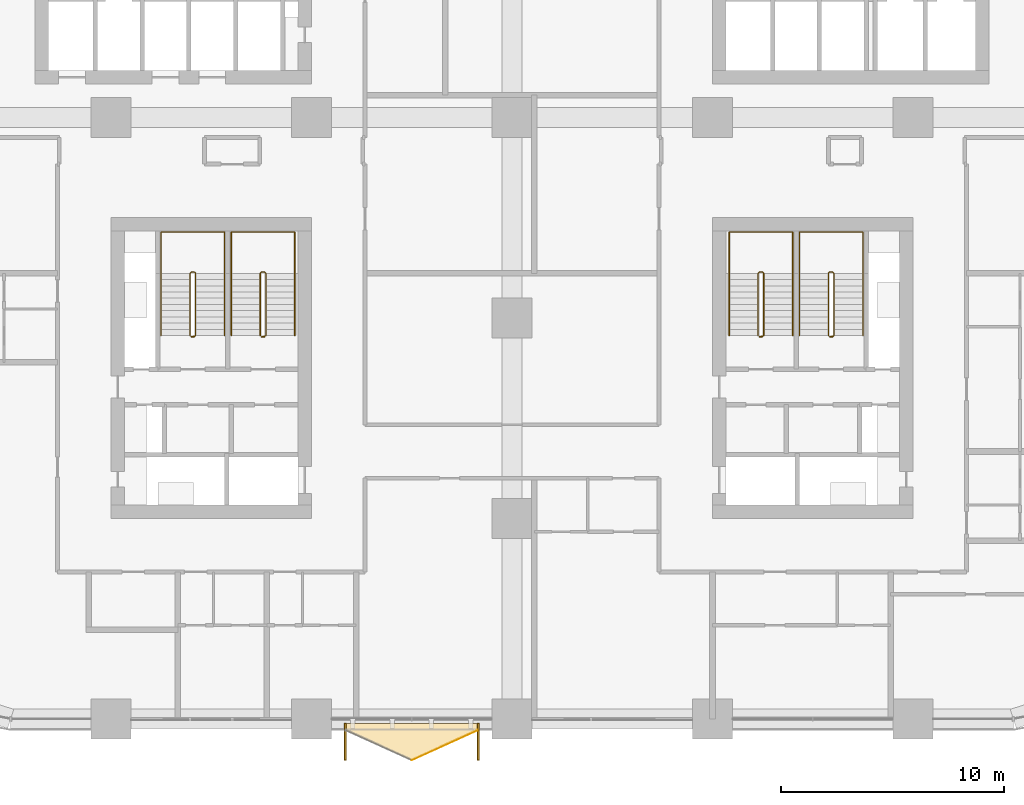
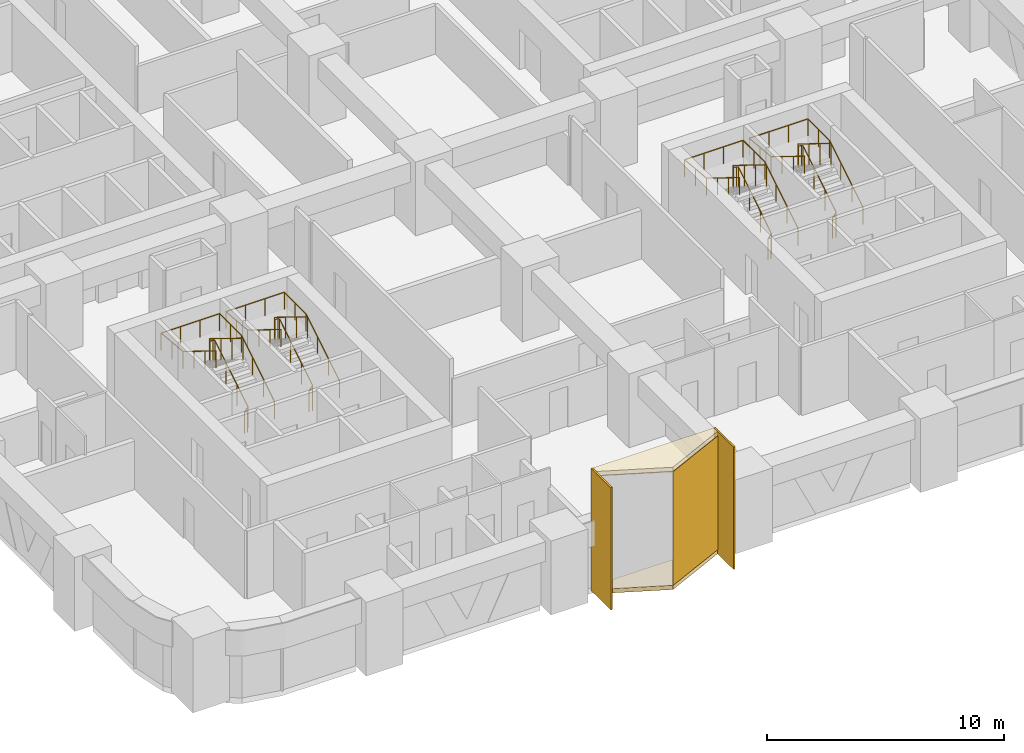
# One storey, part 22 of 24: 8 railings, 5 coverings.
"""IFC4 building model written with IfcOpenShell, lengths in metres."""

from ifc_helpers import new_model, si_unit, direction, frame, origin, origin_2d, place, context, subcontext, project, spatial, polyline, rectangle, circle, outline, extrude, material, layer, layer_set, type_object, element, save


model = new_model("IFC4")

# Units and contexts
model_context = context("Model", 3, precision=1e-05, world=origin(), true_north=direction((0.0, 1.0)))
body_context = subcontext(model_context, "Body", "Model", "MODEL_VIEW")
ifc_project = project(units=[si_unit("LENGTHUNIT", "METRE"), si_unit("AREAUNIT", "SQUARE_METRE"), si_unit("VOLUMEUNIT", "CUBIC_METRE"), si_unit("PLANEANGLEUNIT", "RADIAN"), si_unit("MASSUNIT", "GRAM", prefix="KILO")], contexts=[model_context])

# Site, building, storey
site_placement = place(None, origin())
site = spatial("IfcSite", under=ifc_project, at=site_placement, CompositionType="ELEMENT")
building_placement = place(site_placement, origin())
building = spatial("IfcBuilding", under=site, at=building_placement, Name="Tessera Arch", CompositionType="ELEMENT")
storey_placement = place(building_placement, frame((0.0, 0.0, 38.60009765625)))
storey = spatial("IfcBuildingStorey", under=building, at=storey_placement, Name="L07", CompositionType="ELEMENT", Elevation=38.60009765625)

# Railings
ifc_material_1 = material(Name="Painted steel balustrade", Category="steel")
railing_type_1 = type_object("IfcRailingType", Name="Stair guard 1100", PredefinedType="GUARDRAIL", material=ifc_material_1)
railing_1_placement = place(storey_placement, frame((38.25, 17.14990234375, 0.0)))
element("IfcRailing", 1, at=railing_1_placement, inside=storey, type_object=railing_type_1, Name="L07 S3a stair guard 1", PredefinedType="GUARDRAIL", context=body_context, shape_type="SweptSolid", body=[
    extrude(circle(Radius=0.02392578125, at=origin_2d()), frame((0.00390625, 0.0, 1.076171875), z_axis=(-1.0, 0.0, 0.0), x_axis=(0.0, -1.0, 0.0)), (0.0, 0.0, 1.0), 0.157958984375),
    extrude(circle(Radius=0.02392578125, at=origin_2d()), frame((-0.15283203125, -0.000732421875, 1.073486328125), z_axis=(0.743736083135, 0.18616104645, 0.642028584587), x_axis=(-0.242814311512, 0.970072785993, 0.0)), (0.0, 0.0, 1.0), 0.27685546875),
    extrude(circle(Radius=0.02392578125, at=origin_2d()), frame((0.050048828125, 0.046630859375, 1.24658203125), z_axis=(0.0, 0.851089632645, 0.525020415988), x_axis=(-1.0, 0.0, 0.0)), (0.0, 0.0, 1.0), 3.2978515625),
    extrude(circle(Radius=0.02392578125, at=origin_2d()), frame((0.052978515625, 2.84716796875, 2.97607421875), z_axis=(-0.707106781187, 0.707106781187, 0.0), x_axis=(-0.707106781187, -0.707106781187, 0.0)), (0.0, 0.0, 1.0), 0.078857421875),
    extrude(circle(Radius=0.02392578125, at=origin_2d()), frame((0.00390625, 2.900146484375, 2.97607421875), z_axis=(-1.0, 0.0, 0.0), x_axis=(0.0, -1.0, 0.0)), (0.0, 0.0, 1.0), 0.157958984375),
    extrude(circle(Radius=0.02392578125, at=origin_2d()), frame((-0.14892578125, 2.901123046875, 2.97216796875), z_axis=(-0.268277960024, -0.268277960024, 0.925231793839), x_axis=(0.707106781187, -0.707106781187, 0.0)), (0.0, 0.0, 1.0), 0.194580078125),
    extrude(circle(Radius=0.02392578125, at=origin_2d()), frame((-0.199951171875, 2.853515625, 3.146484375), z_axis=(0.0, -0.851089632645, 0.525020415988), x_axis=(1.0, 0.0, 0.0)), (0.0, 0.0, 1.0), 3.2978515625),
    extrude(circle(Radius=0.02099609375, at=origin_2d()), origin(), (0.0, 0.0, 1.0), 1.06396484375),
    extrude(circle(Radius=0.02099609375, at=origin_2d()), frame((-0.14990234375, 0.0, 0.0)), (0.0, 0.0, 1.0), 1.06396484375),
    extrude(circle(Radius=0.02099609375, at=origin_2d()), frame((0.050048828125, 0.050048828125, 0.172607421875)), (0.0, 0.0, 1.0), 1.06396484375),
    extrude(circle(Radius=0.02099609375, at=origin_2d()), frame((0.050048828125, 0.9833984375, 0.748291015625)), (0.0, 0.0, 1.0), 1.06396484375),
    extrude(circle(Radius=0.02099609375, at=origin_2d()), frame((0.050048828125, 1.916748046875, 1.32421875)), (0.0, 0.0, 1.0), 1.06396484375),
    extrude(circle(Radius=0.02099609375, at=origin_2d()), frame((0.050048828125, 2.85009765625, 1.89990234375)), (0.0, 0.0, 1.0), 1.06396484375),
    extrude(circle(Radius=0.02099609375, at=origin_2d()), frame((0.0, 2.900146484375, 1.89990234375)), (0.0, 0.0, 1.0), 1.06396484375),
    extrude(circle(Radius=0.02099609375, at=origin_2d()), frame((-0.14990234375, 2.900146484375, 1.89990234375)), (0.0, 0.0, 1.0), 1.06396484375),
    extrude(circle(Radius=0.02099609375, at=origin_2d()), frame((-0.199951171875, 2.85009765625, 2.072509765625)), (0.0, 0.0, 1.0), 1.06396484375),
    extrude(circle(Radius=0.02099609375, at=origin_2d()), frame((-0.199951171875, 1.916748046875, 2.648193359375)), (0.0, 0.0, 1.0), 1.06396484375),
    extrude(circle(Radius=0.02099609375, at=origin_2d()), frame((-0.199951171875, 0.9833984375, 3.22412109375)), (0.0, 0.0, 1.0), 1.06396484375),
    extrude(circle(Radius=0.02099609375, at=origin_2d()), frame((-0.199951171875, 0.050048828125, 3.7998046875)), (0.0, 0.0, 1.0), 1.06396484375),
])
railing_2_placement = place(storey_placement, frame((41.39990234375, 17.14990234375, 0.0)))
element("IfcRailing", 2, at=railing_2_placement, inside=storey, type_object=railing_type_1, Name="L07 S3b stair guard 1", PredefinedType="GUARDRAIL", context=body_context, shape_type="SweptSolid", body=[
    extrude(circle(Radius=0.02392578125, at=origin_2d()), frame((0.00390625, 0.0, 1.076171875), z_axis=(-1.0, 0.0, 0.0), x_axis=(0.0, -1.0, 0.0)), (0.0, 0.0, 1.0), 0.157958984375),
    extrude(circle(Radius=0.02392578125, at=origin_2d()), frame((-0.15283203125, -0.000732421875, 1.073486328125), z_axis=(0.743736083135, 0.18616104645, 0.642028584587), x_axis=(-0.242814311512, 0.970072785993, 0.0)), (0.0, 0.0, 1.0), 0.27685546875),
    extrude(circle(Radius=0.02392578125, at=origin_2d()), frame((0.050048828125, 0.046630859375, 1.24658203125), z_axis=(0.0, 0.851089632645, 0.525020415988), x_axis=(-1.0, 0.0, 0.0)), (0.0, 0.0, 1.0), 3.2978515625),
    extrude(circle(Radius=0.02392578125, at=origin_2d()), frame((0.052978515625, 2.84716796875, 2.97607421875), z_axis=(-0.707106781187, 0.707106781187, 0.0), x_axis=(-0.707106781187, -0.707106781187, 0.0)), (0.0, 0.0, 1.0), 0.078857421875),
    extrude(circle(Radius=0.02392578125, at=origin_2d()), frame((0.00390625, 2.900146484375, 2.97607421875), z_axis=(-1.0, 0.0, 0.0), x_axis=(0.0, -1.0, 0.0)), (0.0, 0.0, 1.0), 0.157958984375),
    extrude(circle(Radius=0.02392578125, at=origin_2d()), frame((-0.14892578125, 2.901123046875, 2.97216796875), z_axis=(-0.268277960024, -0.268277960024, 0.925231793839), x_axis=(0.707106781187, -0.707106781187, 0.0)), (0.0, 0.0, 1.0), 0.194580078125),
    extrude(circle(Radius=0.02392578125, at=origin_2d()), frame((-0.199951171875, 2.853515625, 3.146484375), z_axis=(0.0, -0.851089632645, 0.525020415988), x_axis=(1.0, 0.0, 0.0)), (0.0, 0.0, 1.0), 3.2978515625),
    extrude(circle(Radius=0.02099609375, at=origin_2d()), origin(), (0.0, 0.0, 1.0), 1.06396484375),
    extrude(circle(Radius=0.02099609375, at=origin_2d()), frame((-0.14990234375, 0.0, 0.0)), (0.0, 0.0, 1.0), 1.06396484375),
    extrude(circle(Radius=0.02099609375, at=origin_2d()), frame((0.050048828125, 0.050048828125, 0.172607421875)), (0.0, 0.0, 1.0), 1.06396484375),
    extrude(circle(Radius=0.02099609375, at=origin_2d()), frame((0.050048828125, 0.9833984375, 0.748291015625)), (0.0, 0.0, 1.0), 1.06396484375),
    extrude(circle(Radius=0.02099609375, at=origin_2d()), frame((0.050048828125, 1.916748046875, 1.32421875)), (0.0, 0.0, 1.0), 1.06396484375),
    extrude(circle(Radius=0.02099609375, at=origin_2d()), frame((0.050048828125, 2.85009765625, 1.89990234375)), (0.0, 0.0, 1.0), 1.06396484375),
    extrude(circle(Radius=0.02099609375, at=origin_2d()), frame((0.0, 2.900146484375, 1.89990234375)), (0.0, 0.0, 1.0), 1.06396484375),
    extrude(circle(Radius=0.02099609375, at=origin_2d()), frame((-0.14990234375, 2.900146484375, 1.89990234375)), (0.0, 0.0, 1.0), 1.06396484375),
    extrude(circle(Radius=0.02099609375, at=origin_2d()), frame((-0.199951171875, 2.85009765625, 2.072509765625)), (0.0, 0.0, 1.0), 1.06396484375),
    extrude(circle(Radius=0.02099609375, at=origin_2d()), frame((-0.199951171875, 1.916748046875, 2.648193359375)), (0.0, 0.0, 1.0), 1.06396484375),
    extrude(circle(Radius=0.02099609375, at=origin_2d()), frame((-0.199951171875, 0.9833984375, 3.22412109375)), (0.0, 0.0, 1.0), 1.06396484375),
    extrude(circle(Radius=0.02099609375, at=origin_2d()), frame((-0.199951171875, 0.050048828125, 3.7998046875)), (0.0, 0.0, 1.0), 1.06396484375),
])
railing_3_placement = place(storey_placement, frame((15.89990234375, 17.14990234375, 0.0)))
element("IfcRailing", 3, at=railing_3_placement, inside=storey, type_object=railing_type_1, Name="L07 S4a stair guard 1", PredefinedType="GUARDRAIL", context=body_context, shape_type="SweptSolid", body=[
    extrude(circle(Radius=0.02392578125, at=origin_2d()), frame((0.00390625, 0.0, 1.076171875), z_axis=(-1.0, 0.0, 0.0), x_axis=(0.0, -1.0, 0.0)), (0.0, 0.0, 1.0), 0.157958984375),
    extrude(circle(Radius=0.02392578125, at=origin_2d()), frame((-0.15283203125, -0.000732421875, 1.073486328125), z_axis=(0.743736083135, 0.18616104645, 0.642028584587), x_axis=(-0.242814311512, 0.970072785993, 0.0)), (0.0, 0.0, 1.0), 0.27685546875),
    extrude(circle(Radius=0.02392578125, at=origin_2d()), frame((0.050048828125, 0.046630859375, 1.24658203125), z_axis=(0.0, 0.851089632645, 0.525020415988), x_axis=(-1.0, 0.0, 0.0)), (0.0, 0.0, 1.0), 3.2978515625),
    extrude(circle(Radius=0.02392578125, at=origin_2d()), frame((0.052978515625, 2.84716796875, 2.97607421875), z_axis=(-0.707106781187, 0.707106781187, 0.0), x_axis=(-0.707106781187, -0.707106781187, 0.0)), (0.0, 0.0, 1.0), 0.078857421875),
    extrude(circle(Radius=0.02392578125, at=origin_2d()), frame((0.00390625, 2.900146484375, 2.97607421875), z_axis=(-1.0, 0.0, 0.0), x_axis=(0.0, -1.0, 0.0)), (0.0, 0.0, 1.0), 0.157958984375),
    extrude(circle(Radius=0.02392578125, at=origin_2d()), frame((-0.14892578125, 2.901123046875, 2.97216796875), z_axis=(-0.268277960024, -0.268277960024, 0.925231793839), x_axis=(0.707106781187, -0.707106781187, 0.0)), (0.0, 0.0, 1.0), 0.194580078125),
    extrude(circle(Radius=0.02392578125, at=origin_2d()), frame((-0.199951171875, 2.853515625, 3.146484375), z_axis=(0.0, -0.851089632645, 0.525020415988), x_axis=(1.0, 0.0, 0.0)), (0.0, 0.0, 1.0), 3.2978515625),
    extrude(circle(Radius=0.02099609375, at=origin_2d()), origin(), (0.0, 0.0, 1.0), 1.06396484375),
    extrude(circle(Radius=0.02099609375, at=origin_2d()), frame((-0.14990234375, 0.0, 0.0)), (0.0, 0.0, 1.0), 1.06396484375),
    extrude(circle(Radius=0.02099609375, at=origin_2d()), frame((0.050048828125, 0.050048828125, 0.172607421875)), (0.0, 0.0, 1.0), 1.06396484375),
    extrude(circle(Radius=0.02099609375, at=origin_2d()), frame((0.050048828125, 0.9833984375, 0.748291015625)), (0.0, 0.0, 1.0), 1.06396484375),
    extrude(circle(Radius=0.02099609375, at=origin_2d()), frame((0.050048828125, 1.916748046875, 1.32421875)), (0.0, 0.0, 1.0), 1.06396484375),
    extrude(circle(Radius=0.02099609375, at=origin_2d()), frame((0.050048828125, 2.85009765625, 1.89990234375)), (0.0, 0.0, 1.0), 1.06396484375),
    extrude(circle(Radius=0.02099609375, at=origin_2d()), frame((0.0, 2.900146484375, 1.89990234375)), (0.0, 0.0, 1.0), 1.06396484375),
    extrude(circle(Radius=0.02099609375, at=origin_2d()), frame((-0.14990234375, 2.900146484375, 1.89990234375)), (0.0, 0.0, 1.0), 1.06396484375),
    extrude(circle(Radius=0.02099609375, at=origin_2d()), frame((-0.199951171875, 2.85009765625, 2.072509765625)), (0.0, 0.0, 1.0), 1.06396484375),
    extrude(circle(Radius=0.02099609375, at=origin_2d()), frame((-0.199951171875, 1.916748046875, 2.648193359375)), (0.0, 0.0, 1.0), 1.06396484375),
    extrude(circle(Radius=0.02099609375, at=origin_2d()), frame((-0.199951171875, 0.9833984375, 3.22412109375)), (0.0, 0.0, 1.0), 1.06396484375),
    extrude(circle(Radius=0.02099609375, at=origin_2d()), frame((-0.199951171875, 0.050048828125, 3.7998046875)), (0.0, 0.0, 1.0), 1.06396484375),
])
railing_4_placement = place(storey_placement, frame((12.75, 17.14990234375, 0.0)))
element("IfcRailing", 4, at=railing_4_placement, inside=storey, type_object=railing_type_1, Name="L07 S4b stair guard 1", PredefinedType="GUARDRAIL", context=body_context, shape_type="SweptSolid", body=[
    extrude(circle(Radius=0.02392578125, at=origin_2d()), frame((0.00390625, 0.0, 1.076171875), z_axis=(-1.0, 0.0, 0.0), x_axis=(0.0, -1.0, 0.0)), (0.0, 0.0, 1.0), 0.157958984375),
    extrude(circle(Radius=0.02392578125, at=origin_2d()), frame((-0.15283203125, -0.000732421875, 1.073486328125), z_axis=(0.743736083135, 0.18616104645, 0.642028584587), x_axis=(-0.242814311512, 0.970072785993, 0.0)), (0.0, 0.0, 1.0), 0.27685546875),
    extrude(circle(Radius=0.02392578125, at=origin_2d()), frame((0.050048828125, 0.046630859375, 1.24658203125), z_axis=(0.0, 0.851089632645, 0.525020415988), x_axis=(-1.0, 0.0, 0.0)), (0.0, 0.0, 1.0), 3.2978515625),
    extrude(circle(Radius=0.02392578125, at=origin_2d()), frame((0.052978515625, 2.84716796875, 2.97607421875), z_axis=(-0.707106781187, 0.707106781187, 0.0), x_axis=(-0.707106781187, -0.707106781187, 0.0)), (0.0, 0.0, 1.0), 0.078857421875),
    extrude(circle(Radius=0.02392578125, at=origin_2d()), frame((0.00390625, 2.900146484375, 2.97607421875), z_axis=(-1.0, 0.0, 0.0), x_axis=(0.0, -1.0, 0.0)), (0.0, 0.0, 1.0), 0.157958984375),
    extrude(circle(Radius=0.02392578125, at=origin_2d()), frame((-0.14892578125, 2.901123046875, 2.97216796875), z_axis=(-0.268277960024, -0.268277960024, 0.925231793839), x_axis=(0.707106781187, -0.707106781187, 0.0)), (0.0, 0.0, 1.0), 0.194580078125),
    extrude(circle(Radius=0.02392578125, at=origin_2d()), frame((-0.199951171875, 2.853515625, 3.146484375), z_axis=(0.0, -0.851089632645, 0.525020415988), x_axis=(1.0, 0.0, 0.0)), (0.0, 0.0, 1.0), 3.2978515625),
    extrude(circle(Radius=0.02099609375, at=origin_2d()), origin(), (0.0, 0.0, 1.0), 1.06396484375),
    extrude(circle(Radius=0.02099609375, at=origin_2d()), frame((-0.14990234375, 0.0, 0.0)), (0.0, 0.0, 1.0), 1.06396484375),
    extrude(circle(Radius=0.02099609375, at=origin_2d()), frame((0.050048828125, 0.050048828125, 0.172607421875)), (0.0, 0.0, 1.0), 1.06396484375),
    extrude(circle(Radius=0.02099609375, at=origin_2d()), frame((0.050048828125, 0.9833984375, 0.748291015625)), (0.0, 0.0, 1.0), 1.06396484375),
    extrude(circle(Radius=0.02099609375, at=origin_2d()), frame((0.050048828125, 1.916748046875, 1.32421875)), (0.0, 0.0, 1.0), 1.06396484375),
    extrude(circle(Radius=0.02099609375, at=origin_2d()), frame((0.050048828125, 2.85009765625, 1.89990234375)), (0.0, 0.0, 1.0), 1.06396484375),
    extrude(circle(Radius=0.02099609375, at=origin_2d()), frame((0.0, 2.900146484375, 1.89990234375)), (0.0, 0.0, 1.0), 1.06396484375),
    extrude(circle(Radius=0.02099609375, at=origin_2d()), frame((-0.14990234375, 2.900146484375, 1.89990234375)), (0.0, 0.0, 1.0), 1.06396484375),
    extrude(circle(Radius=0.02099609375, at=origin_2d()), frame((-0.199951171875, 2.85009765625, 2.072509765625)), (0.0, 0.0, 1.0), 1.06396484375),
    extrude(circle(Radius=0.02099609375, at=origin_2d()), frame((-0.199951171875, 1.916748046875, 2.648193359375)), (0.0, 0.0, 1.0), 1.06396484375),
    extrude(circle(Radius=0.02099609375, at=origin_2d()), frame((-0.199951171875, 0.9833984375, 3.22412109375)), (0.0, 0.0, 1.0), 1.06396484375),
    extrude(circle(Radius=0.02099609375, at=origin_2d()), frame((-0.199951171875, 0.050048828125, 3.7998046875)), (0.0, 0.0, 1.0), 1.06396484375),
])
ifc_material_2 = material(Name="Painted steel handrail", Category="steel")
railing_type_2 = type_object("IfcRailingType", Name="Stair handrail 900", PredefinedType="HANDRAIL", material=ifc_material_2)
railing_5_placement = place(storey_placement, frame((39.60009765625, 17.199951171875, 0.172607421875)))
element("IfcRailing", 5, at=railing_5_placement, inside=storey, type_object=railing_type_2, Name="L07 S3a stair handrail", PredefinedType="HANDRAIL", context=body_context, shape_type="SweptSolid", body=[
    extrude(circle(Radius=0.02392578125, at=origin_2d()), frame((0.0, -0.00341796875, 0.873779296875), z_axis=(0.0, 0.851089632645, 0.525020415988), x_axis=(-1.0, 0.0, 0.0)), (0.0, 0.0, 1.0), 3.2978515625),
    extrude(circle(Radius=0.02392578125, at=origin_2d()), frame((0.0, 2.796142578125, 2.60302734375), z_axis=(0.0, 1.0, 0.0), x_axis=(-1.0, 0.0, 0.0)), (0.0, 0.0, 1.0), 1.858154296875),
    extrude(circle(Radius=0.02392578125, at=origin_2d()), frame((0.00390625, 4.650146484375, 2.60302734375), z_axis=(-1.0, 0.0, 0.0), x_axis=(0.0, -1.0, 0.0)), (0.0, 0.0, 1.0), 2.858154296875),
    extrude(circle(Radius=0.02392578125, at=origin_2d()), frame((-2.85009765625, 4.654052734375, 2.602783203125), z_axis=(0.0, -0.995676099079, 0.092892979948), x_axis=(1.0, 0.0, 0.0)), (0.0, 0.0, 1.0), 1.8662109375),
    extrude(circle(Radius=0.02392578125, at=origin_2d()), frame((-2.85009765625, 2.803466796875, 2.773681640625), z_axis=(0.0, -0.851089632645, 0.525020415988), x_axis=(1.0, 0.0, 0.0)), (0.0, 0.0, 1.0), 3.2978515625),
    extrude(circle(Radius=0.02099609375, at=origin_2d()), origin(), (0.0, 0.0, 1.0), 0.86376953125),
    extrude(circle(Radius=0.02099609375, at=origin_2d()), frame((0.0, 0.933349609375, 0.57568359375)), (0.0, 0.0, 1.0), 0.86376953125),
    extrude(circle(Radius=0.02099609375, at=origin_2d()), frame((0.0, 1.86669921875, 1.151611328125)), (0.0, 0.0, 1.0), 0.86376953125),
    extrude(circle(Radius=0.02099609375, at=origin_2d()), frame((0.0, 2.800048828125, 1.727294921875)), (0.0, 0.0, 1.0), 0.86376953125),
    extrude(circle(Radius=0.02099609375, at=origin_2d()), frame((0.0, 3.72509765625, 1.727294921875)), (0.0, 0.0, 1.0), 0.86376953125),
    extrude(circle(Radius=0.02099609375, at=origin_2d()), frame((0.0, 4.650146484375, 1.727294921875)), (0.0, 0.0, 1.0), 0.86376953125),
    extrude(circle(Radius=0.02099609375, at=origin_2d()), frame((-0.949951171875, 4.650146484375, 1.727294921875)), (0.0, 0.0, 1.0), 0.86376953125),
    extrude(circle(Radius=0.02099609375, at=origin_2d()), frame((-1.900146484375, 4.650146484375, 1.727294921875)), (0.0, 0.0, 1.0), 0.86376953125),
    extrude(circle(Radius=0.02099609375, at=origin_2d()), frame((-2.85009765625, 4.650146484375, 1.727294921875)), (0.0, 0.0, 1.0), 0.86376953125),
    extrude(circle(Radius=0.02099609375, at=origin_2d()), frame((-2.85009765625, 3.72509765625, 1.8134765625)), (0.0, 0.0, 1.0), 0.86376953125),
    extrude(circle(Radius=0.02099609375, at=origin_2d()), frame((-2.85009765625, 2.800048828125, 1.89990234375)), (0.0, 0.0, 1.0), 0.86376953125),
    extrude(circle(Radius=0.02099609375, at=origin_2d()), frame((-2.85009765625, 1.86669921875, 2.4755859375)), (0.0, 0.0, 1.0), 0.86376953125),
    extrude(circle(Radius=0.02099609375, at=origin_2d()), frame((-2.85009765625, 0.933349609375, 3.051513671875)), (0.0, 0.0, 1.0), 0.86376953125),
    extrude(circle(Radius=0.02099609375, at=origin_2d()), frame((-2.85009765625, 0.0, 3.627197265625)), (0.0, 0.0, 1.0), 0.86376953125),
])
railing_6_placement = place(storey_placement, frame((42.75, 17.199951171875, 0.172607421875)))
element("IfcRailing", 6, at=railing_6_placement, inside=storey, type_object=railing_type_2, Name="L07 S3b stair handrail", PredefinedType="HANDRAIL", context=body_context, shape_type="SweptSolid", body=[
    extrude(circle(Radius=0.02392578125, at=origin_2d()), frame((0.0, -0.00341796875, 0.873779296875), z_axis=(0.0, 0.851089632645, 0.525020415988), x_axis=(-1.0, 0.0, 0.0)), (0.0, 0.0, 1.0), 3.2978515625),
    extrude(circle(Radius=0.02392578125, at=origin_2d()), frame((0.0, 2.796142578125, 2.60302734375), z_axis=(0.0, 1.0, 0.0), x_axis=(-1.0, 0.0, 0.0)), (0.0, 0.0, 1.0), 1.858154296875),
    extrude(circle(Radius=0.02392578125, at=origin_2d()), frame((0.00390625, 4.650146484375, 2.60302734375), z_axis=(-1.0, 0.0, 0.0), x_axis=(0.0, -1.0, 0.0)), (0.0, 0.0, 1.0), 2.858154296875),
    extrude(circle(Radius=0.02392578125, at=origin_2d()), frame((-2.85009765625, 4.654052734375, 2.602783203125), z_axis=(0.0, -0.995676099079, 0.092892979948), x_axis=(1.0, 0.0, 0.0)), (0.0, 0.0, 1.0), 1.8662109375),
    extrude(circle(Radius=0.02392578125, at=origin_2d()), frame((-2.85009765625, 2.803466796875, 2.773681640625), z_axis=(0.0, -0.851089632645, 0.525020415988), x_axis=(1.0, 0.0, 0.0)), (0.0, 0.0, 1.0), 3.2978515625),
    extrude(circle(Radius=0.02099609375, at=origin_2d()), origin(), (0.0, 0.0, 1.0), 0.86376953125),
    extrude(circle(Radius=0.02099609375, at=origin_2d()), frame((0.0, 0.933349609375, 0.57568359375)), (0.0, 0.0, 1.0), 0.86376953125),
    extrude(circle(Radius=0.02099609375, at=origin_2d()), frame((0.0, 1.86669921875, 1.151611328125)), (0.0, 0.0, 1.0), 0.86376953125),
    extrude(circle(Radius=0.02099609375, at=origin_2d()), frame((0.0, 2.800048828125, 1.727294921875)), (0.0, 0.0, 1.0), 0.86376953125),
    extrude(circle(Radius=0.02099609375, at=origin_2d()), frame((0.0, 3.72509765625, 1.727294921875)), (0.0, 0.0, 1.0), 0.86376953125),
    extrude(circle(Radius=0.02099609375, at=origin_2d()), frame((0.0, 4.650146484375, 1.727294921875)), (0.0, 0.0, 1.0), 0.86376953125),
    extrude(circle(Radius=0.02099609375, at=origin_2d()), frame((-0.949951171875, 4.650146484375, 1.727294921875)), (0.0, 0.0, 1.0), 0.86376953125),
    extrude(circle(Radius=0.02099609375, at=origin_2d()), frame((-1.900146484375, 4.650146484375, 1.727294921875)), (0.0, 0.0, 1.0), 0.86376953125),
    extrude(circle(Radius=0.02099609375, at=origin_2d()), frame((-2.85009765625, 4.650146484375, 1.727294921875)), (0.0, 0.0, 1.0), 0.86376953125),
    extrude(circle(Radius=0.02099609375, at=origin_2d()), frame((-2.85009765625, 3.72509765625, 1.8134765625)), (0.0, 0.0, 1.0), 0.86376953125),
    extrude(circle(Radius=0.02099609375, at=origin_2d()), frame((-2.85009765625, 2.800048828125, 1.89990234375)), (0.0, 0.0, 1.0), 0.86376953125),
    extrude(circle(Radius=0.02099609375, at=origin_2d()), frame((-2.85009765625, 1.86669921875, 2.4755859375)), (0.0, 0.0, 1.0), 0.86376953125),
    extrude(circle(Radius=0.02099609375, at=origin_2d()), frame((-2.85009765625, 0.933349609375, 3.051513671875)), (0.0, 0.0, 1.0), 0.86376953125),
    extrude(circle(Radius=0.02099609375, at=origin_2d()), frame((-2.85009765625, 0.0, 3.627197265625)), (0.0, 0.0, 1.0), 0.86376953125),
])
railing_7_placement = place(storey_placement, frame((17.25, 17.199951171875, 0.172607421875)))
element("IfcRailing", 7, at=railing_7_placement, inside=storey, type_object=railing_type_2, Name="L07 S4a stair handrail", PredefinedType="HANDRAIL", context=body_context, shape_type="SweptSolid", body=[
    extrude(circle(Radius=0.02392578125, at=origin_2d()), frame((0.0, -0.00341796875, 0.873779296875), z_axis=(0.0, 0.851089632645, 0.525020415988), x_axis=(-1.0, 0.0, 0.0)), (0.0, 0.0, 1.0), 3.2978515625),
    extrude(circle(Radius=0.02392578125, at=origin_2d()), frame((0.0, 2.796142578125, 2.60302734375), z_axis=(0.0, 1.0, 0.0), x_axis=(-1.0, 0.0, 0.0)), (0.0, 0.0, 1.0), 1.858154296875),
    extrude(circle(Radius=0.02392578125, at=origin_2d()), frame((0.00390625, 4.650146484375, 2.60302734375), z_axis=(-1.0, 0.0, 0.0), x_axis=(0.0, -1.0, 0.0)), (0.0, 0.0, 1.0), 2.858154296875),
    extrude(circle(Radius=0.02392578125, at=origin_2d()), frame((-2.85009765625, 4.654052734375, 2.602783203125), z_axis=(0.0, -0.995676099079, 0.092892979948), x_axis=(1.0, 0.0, 0.0)), (0.0, 0.0, 1.0), 1.8662109375),
    extrude(circle(Radius=0.02392578125, at=origin_2d()), frame((-2.85009765625, 2.803466796875, 2.773681640625), z_axis=(0.0, -0.851089632645, 0.525020415988), x_axis=(1.0, 0.0, 0.0)), (0.0, 0.0, 1.0), 3.2978515625),
    extrude(circle(Radius=0.02099609375, at=origin_2d()), origin(), (0.0, 0.0, 1.0), 0.86376953125),
    extrude(circle(Radius=0.02099609375, at=origin_2d()), frame((0.0, 0.933349609375, 0.57568359375)), (0.0, 0.0, 1.0), 0.86376953125),
    extrude(circle(Radius=0.02099609375, at=origin_2d()), frame((0.0, 1.86669921875, 1.151611328125)), (0.0, 0.0, 1.0), 0.86376953125),
    extrude(circle(Radius=0.02099609375, at=origin_2d()), frame((0.0, 2.800048828125, 1.727294921875)), (0.0, 0.0, 1.0), 0.86376953125),
    extrude(circle(Radius=0.02099609375, at=origin_2d()), frame((0.0, 3.72509765625, 1.727294921875)), (0.0, 0.0, 1.0), 0.86376953125),
    extrude(circle(Radius=0.02099609375, at=origin_2d()), frame((0.0, 4.650146484375, 1.727294921875)), (0.0, 0.0, 1.0), 0.86376953125),
    extrude(circle(Radius=0.02099609375, at=origin_2d()), frame((-0.949951171875, 4.650146484375, 1.727294921875)), (0.0, 0.0, 1.0), 0.86376953125),
    extrude(circle(Radius=0.02099609375, at=origin_2d()), frame((-1.900146484375, 4.650146484375, 1.727294921875)), (0.0, 0.0, 1.0), 0.86376953125),
    extrude(circle(Radius=0.02099609375, at=origin_2d()), frame((-2.85009765625, 4.650146484375, 1.727294921875)), (0.0, 0.0, 1.0), 0.86376953125),
    extrude(circle(Radius=0.02099609375, at=origin_2d()), frame((-2.85009765625, 3.72509765625, 1.8134765625)), (0.0, 0.0, 1.0), 0.86376953125),
    extrude(circle(Radius=0.02099609375, at=origin_2d()), frame((-2.85009765625, 2.800048828125, 1.89990234375)), (0.0, 0.0, 1.0), 0.86376953125),
    extrude(circle(Radius=0.02099609375, at=origin_2d()), frame((-2.85009765625, 1.86669921875, 2.4755859375)), (0.0, 0.0, 1.0), 0.86376953125),
    extrude(circle(Radius=0.02099609375, at=origin_2d()), frame((-2.85009765625, 0.933349609375, 3.051513671875)), (0.0, 0.0, 1.0), 0.86376953125),
    extrude(circle(Radius=0.02099609375, at=origin_2d()), frame((-2.85009765625, 0.0, 3.627197265625)), (0.0, 0.0, 1.0), 0.86376953125),
])
railing_8_placement = place(storey_placement, frame((14.10009765625, 17.199951171875, 0.172607421875)))
element("IfcRailing", 8, at=railing_8_placement, inside=storey, type_object=railing_type_2, Name="L07 S4b stair handrail", PredefinedType="HANDRAIL", context=body_context, shape_type="SweptSolid", body=[
    extrude(circle(Radius=0.02392578125, at=origin_2d()), frame((0.0, -0.00341796875, 0.873779296875), z_axis=(0.0, 0.851089632645, 0.525020415988), x_axis=(-1.0, 0.0, 0.0)), (0.0, 0.0, 1.0), 3.2978515625),
    extrude(circle(Radius=0.02392578125, at=origin_2d()), frame((0.0, 2.796142578125, 2.60302734375), z_axis=(0.0, 1.0, 0.0), x_axis=(-1.0, 0.0, 0.0)), (0.0, 0.0, 1.0), 1.858154296875),
    extrude(circle(Radius=0.02392578125, at=origin_2d()), frame((0.00390625, 4.650146484375, 2.60302734375), z_axis=(-1.0, 0.0, 0.0), x_axis=(0.0, -1.0, 0.0)), (0.0, 0.0, 1.0), 2.858154296875),
    extrude(circle(Radius=0.02392578125, at=origin_2d()), frame((-2.85009765625, 4.654052734375, 2.602783203125), z_axis=(0.0, -0.995676099079, 0.092892979948), x_axis=(1.0, 0.0, 0.0)), (0.0, 0.0, 1.0), 1.8662109375),
    extrude(circle(Radius=0.02392578125, at=origin_2d()), frame((-2.85009765625, 2.803466796875, 2.773681640625), z_axis=(0.0, -0.851089632645, 0.525020415988), x_axis=(1.0, 0.0, 0.0)), (0.0, 0.0, 1.0), 3.2978515625),
    extrude(circle(Radius=0.02099609375, at=origin_2d()), origin(), (0.0, 0.0, 1.0), 0.86376953125),
    extrude(circle(Radius=0.02099609375, at=origin_2d()), frame((0.0, 0.933349609375, 0.57568359375)), (0.0, 0.0, 1.0), 0.86376953125),
    extrude(circle(Radius=0.02099609375, at=origin_2d()), frame((0.0, 1.86669921875, 1.151611328125)), (0.0, 0.0, 1.0), 0.86376953125),
    extrude(circle(Radius=0.02099609375, at=origin_2d()), frame((0.0, 2.800048828125, 1.727294921875)), (0.0, 0.0, 1.0), 0.86376953125),
    extrude(circle(Radius=0.02099609375, at=origin_2d()), frame((0.0, 3.72509765625, 1.727294921875)), (0.0, 0.0, 1.0), 0.86376953125),
    extrude(circle(Radius=0.02099609375, at=origin_2d()), frame((0.0, 4.650146484375, 1.727294921875)), (0.0, 0.0, 1.0), 0.86376953125),
    extrude(circle(Radius=0.02099609375, at=origin_2d()), frame((-0.949951171875, 4.650146484375, 1.727294921875)), (0.0, 0.0, 1.0), 0.86376953125),
    extrude(circle(Radius=0.02099609375, at=origin_2d()), frame((-1.900146484375, 4.650146484375, 1.727294921875)), (0.0, 0.0, 1.0), 0.86376953125),
    extrude(circle(Radius=0.02099609375, at=origin_2d()), frame((-2.85009765625, 4.650146484375, 1.727294921875)), (0.0, 0.0, 1.0), 0.86376953125),
    extrude(circle(Radius=0.02099609375, at=origin_2d()), frame((-2.85009765625, 3.72509765625, 1.8134765625)), (0.0, 0.0, 1.0), 0.86376953125),
    extrude(circle(Radius=0.02099609375, at=origin_2d()), frame((-2.85009765625, 2.800048828125, 1.89990234375)), (0.0, 0.0, 1.0), 0.86376953125),
    extrude(circle(Radius=0.02099609375, at=origin_2d()), frame((-2.85009765625, 1.86669921875, 2.4755859375)), (0.0, 0.0, 1.0), 0.86376953125),
    extrude(circle(Radius=0.02099609375, at=origin_2d()), frame((-2.85009765625, 0.933349609375, 3.051513671875)), (0.0, 0.0, 1.0), 0.86376953125),
    extrude(circle(Radius=0.02099609375, at=origin_2d()), frame((-2.85009765625, 0.0, 3.627197265625)), (0.0, 0.0, 1.0), 0.86376953125),
])

# Coverings
ifc_material_3 = material(Name="Anodised aluminium pale metal", Category="aluminium")
ifc_layer_1 = layer(ifc_material_3, 0.080078125)
ifc_layer_set_1 = layer_set([ifc_layer_1], Name="Window box cheek")
covering_type_1 = type_object("IfcCoveringType", Name="Window box cheek", PredefinedType="CLADDING", material=ifc_layer_set_1)
covering_1_placement = place(storey_placement, origin())
element("IfcCovering", 9, at=covering_1_placement, inside=storey, type_object=covering_type_1, Name="Window box S0.0/1.0 2x2 cheek", PredefinedType="CLADDING", context=body_context, shape_type="SweptSolid", body=[
    extrude(outline(polyline([(19.469970703125, -1.85009765625), (19.550048828125, -1.85009765625), (19.550048828125, -0.199951171875), (19.469970703125, -0.199951171875), (19.469970703125, -1.85009765625)])), origin(), (0.0, 0.0, 1.0), 6.2998046875),
])
covering_2_placement = place(storey_placement, origin())
element("IfcCovering", 10, at=covering_2_placement, inside=storey, type_object=covering_type_1, Name="Window box S0.0/1.0 2x2 cheek", PredefinedType="CLADDING", context=body_context, shape_type="SweptSolid", body=[
    extrude(outline(polyline([(25.449951171875, -1.85009765625), (25.530029296875, -1.85009765625), (25.530029296875, -0.199951171875), (25.449951171875, -0.199951171875), (25.449951171875, -1.85009765625)])), origin(), (0.0, 0.0, 1.0), 6.2998046875),
])
ifc_material_4 = material(Name="Anodised aluminium pale metal", Category="aluminium")
ifc_layer_2 = layer(ifc_material_4, 0.219970703125)
ifc_layer_set_2 = layer_set([ifc_layer_2], Name="Window box frame plate pale metal")
covering_type_2 = type_object("IfcCoveringType", Name="Window box frame plate pale metal", PredefinedType="CLADDING", material=ifc_layer_set_2)
for number, where, name in (
    (11, (0.0, 0.0, 0.0), "Window box S0.0/1.0 2x2 floor"),
    (12, (0.0, 0.0, 6.079833984375), "Window box S0.0/1.0 2x2 roof"),
):
    element("IfcCovering", number, at=place(storey_placement, frame(where)), inside=storey, type_object=covering_type_2, Name=name, PredefinedType="CLADDING", context=body_context, shape_type="SweptSolid", body=[
        extrude(outline(polyline([(19.550048828125, -0.510009765625), (22.5, -1.85009765625), (25.449951171875, -0.510009765625), (25.449951171875, -0.199951171875), (19.550048828125, -0.199951171875), (19.550048828125, -0.510009765625)])), origin(), (0.0, 0.0, 1.0), 0.219970703125),
    ])
ifc_material_5 = material(Name="Anodised aluminium pale metal", Category="aluminium")
ifc_layer_3 = layer(ifc_material_5, 0.028076171875)
ifc_layer_set_3 = layer_set([ifc_layer_3], Name="Window box side panel")
covering_type_3 = type_object("IfcCoveringType", Name="Window box side panel", PredefinedType="CLADDING", material=ifc_layer_set_3)
covering_3_placement = place(storey_placement, frame((23.97509765625, -1.179931640625, 0.2197265625), z_axis=(0.0, 0.0, 1.0), x_axis=(-0.910472144558, -0.413570397858, 0.0)))
element("IfcCovering", 13, at=covering_3_placement, inside=storey, type_object=covering_type_3, Name="Window box S0.0/1.0 2x2 side panel", PredefinedType="CLADDING", context=body_context, shape_type="SweptSolid", body=[
    extrude(rectangle(XDim=3.239990234375, YDim=0.028076171875, at=origin_2d()), origin(), (0.0, 0.0, 1.0), 5.860107421875),
])

save(model, "model.ifc")
